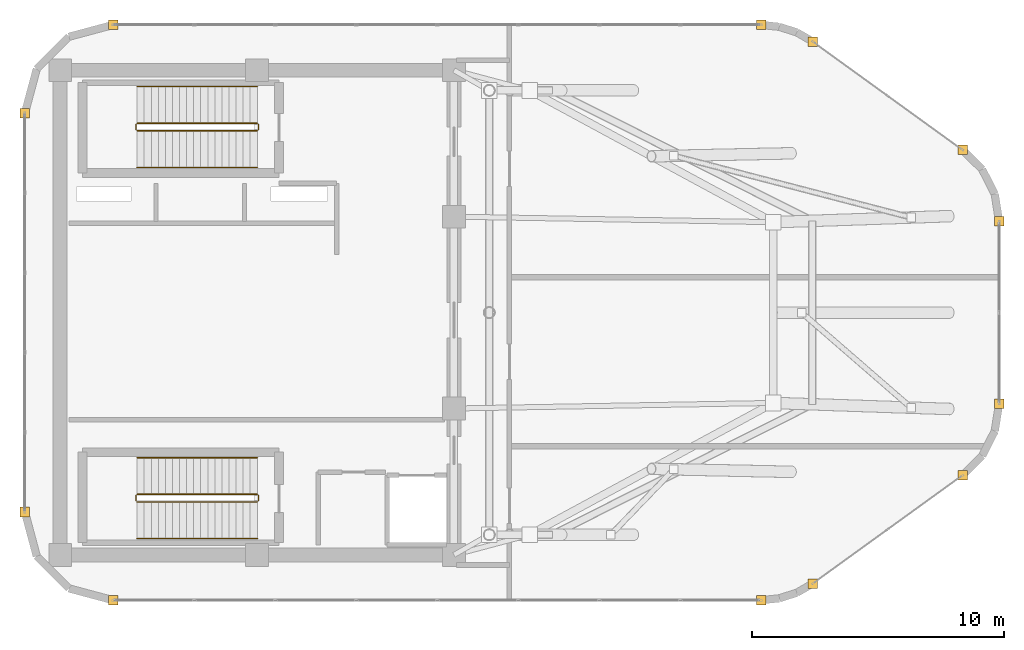
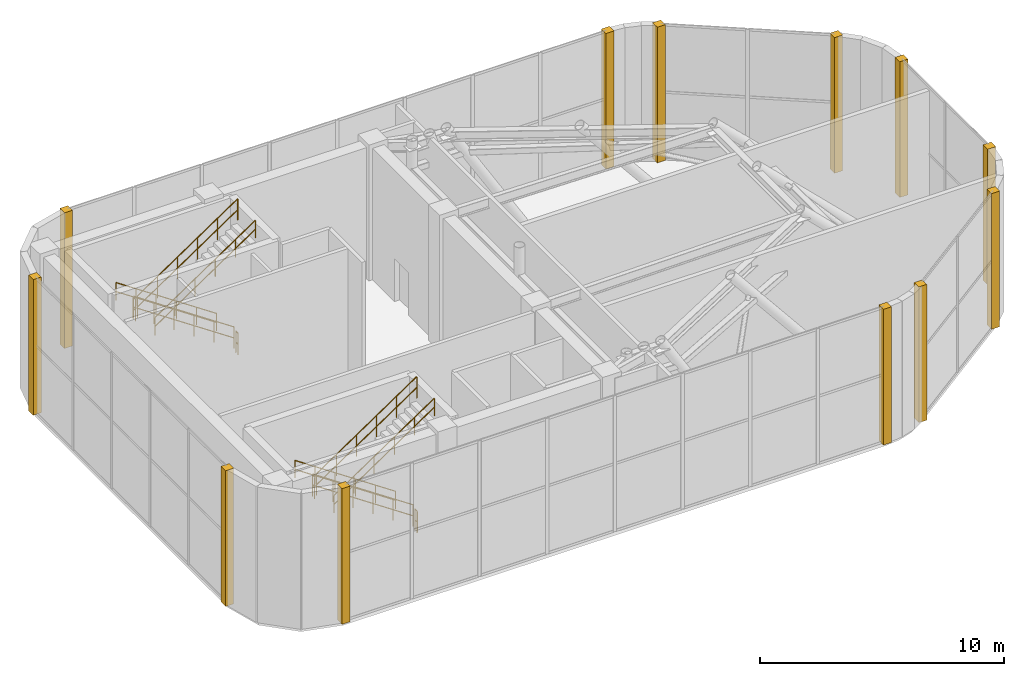
# One storey, part 23 of 23: 12 coverings, 12 railings.
"""IFC4 building model written with IfcOpenShell, lengths in metres."""

import ifcopenshell
import ifcopenshell.guid

model = None  # the IFC model being written
_history = None  # IfcOwnerHistory: only IFC2X3 demands one
_inside = {}  # id of a spatial element -> (the spatial element, [elements in it])
_under = {}  # id of a project, library or spatial element -> (it, [spatial elements below it])
_declared = {}  # id of a project -> (the project, [libraries it declares])
_typed = {}  # id of a type object -> (the type object, [elements of that type])
_made_of = {}  # id of a material, layer set ... -> (it, [elements and type objects made of it])


def new_model(schema):
    """Start an empty IFC model of exactly this schema.

    Asked for "IFC4X3", IfcOpenShell would pick the latest addendum, in which some entities
    have other attributes; the version numbers below select the first issue.
    IFC2X3 requires an IfcOwnerHistory on every rooted entity: one is made here for all.
    """
    global model, _history
    if schema == "IFC4X3":
        model = ifcopenshell.file(schema_version=(4, 3, 0, 0))
    else:
        model = ifcopenshell.file(schema=schema)
    _inside.clear()
    _under.clear()
    _declared.clear()
    _typed.clear()
    _made_of.clear()
    _history = None
    if model.schema == "IFC2X3":
        org = make("IfcOrganization", Name="unknown")
        user = make(
            "IfcPersonAndOrganization",
            ThePerson=make("IfcPerson", FamilyName="unknown"),
            TheOrganization=org,
        )
        app = make(
            "IfcApplication",
            ApplicationDeveloper=org,
            Version="unknown",
            ApplicationFullName="unknown",
            ApplicationIdentifier="unknown",
        )
        _history = make(
            "IfcOwnerHistory",
            OwningUser=user,
            OwningApplication=app,
            ChangeAction="ADDED",
            CreationDate=0,
        )
    return model


def make(cls, **values):
    """One entity of the class cls with the attributes given. An attribute that is None is left unset."""
    return model.create_entity(
        cls, **{name: value for name, value in values.items() if value is not None}
    )


def rooted(cls, **values):
    """An entity with a GlobalId (a new one), such as an element, a storey or a relation."""
    return make(cls, GlobalId=ifcopenshell.guid.new(), OwnerHistory=_history, **values)


def si_unit(unit_type, name, prefix=None):
    """IfcSIUnit, for example si_unit("LENGTHUNIT", "METRE", prefix="MILLI")."""
    return make("IfcSIUnit", UnitType=unit_type, Prefix=prefix, Name=name)


def assignment(units):
    """IfcUnitAssignment: the units of a project."""
    return None if units is None else make("IfcUnitAssignment", Units=units)


def point(xyz):
    """IfcCartesianPoint."""
    return None if xyz is None else make("IfcCartesianPoint", Coordinates=xyz)


def direction(xyz):
    """IfcDirection."""
    return None if xyz is None else make("IfcDirection", DirectionRatios=xyz)


def frame(location, z_axis=None, x_axis=None):
    """IfcAxis2Placement3D, a coordinate frame: its origin and axes. An axis left out is left unset."""
    return make(
        "IfcAxis2Placement3D",
        Location=point(location),
        Axis=direction(z_axis),
        RefDirection=direction(x_axis),
    )


def frame_2d(location, x_axis=None):
    """IfcAxis2Placement2D, a coordinate frame in the plane: its origin and x axis."""
    return make(
        "IfcAxis2Placement2D", Location=point(location), RefDirection=direction(x_axis)
    )


def origin():
    """The frame at (0, 0, 0) with its axes left unset."""
    return frame((0.0, 0.0, 0.0))


def origin_2d():
    """The frame at (0, 0) in the plane with its x axis left unset."""
    return frame_2d((0.0, 0.0))


def place(relative_to, where):
    """IfcLocalPlacement: puts the frame where relative to a parent placement (None: the world)."""
    return make(
        "IfcLocalPlacement", PlacementRelTo=relative_to, RelativePlacement=where
    )


def context(
    kind, dimensions, precision=None, world=None, true_north=None, identifier=None
):
    """IfcGeometricRepresentationContext, for example the 3D "Model" context."""
    return make(
        "IfcGeometricRepresentationContext",
        ContextIdentifier=identifier,
        ContextType=kind,
        CoordinateSpaceDimension=dimensions,
        Precision=precision,
        WorldCoordinateSystem=world,
        TrueNorth=true_north,
    )


def subcontext(parent, identifier, kind, view, scale=None):
    """IfcGeometricRepresentationSubContext, for example "Body" below "Model"."""
    return make(
        "IfcGeometricRepresentationSubContext",
        ContextIdentifier=identifier,
        ContextType=kind,
        ParentContext=parent,
        TargetScale=scale,
        TargetView=view,
    )


def project(units=None, contexts=None):
    """IfcProject with its units and contexts."""
    return rooted(
        "IfcProject",
        Name="project",
        RepresentationContexts=contexts,
        UnitsInContext=assignment(units),
    )


def spatial(cls, under=None, at=None, **own):
    """A site, building, storey or space (cls), placed at a placement, below another one or the project."""
    s = rooted(cls, ObjectPlacement=at, **own)
    if under is not None:
        _under.setdefault(under.id(), (under, []))[1].append(s)
    return s


def profile(cls, at=None, kind="AREA", **sizes):
    """A parametric profile (cls). Its sizes go by their IFC names, for example OverallWidth=200.0."""
    return make(cls, ProfileType=kind, Position=at, **sizes)


def rectangle(**sizes):
    """IfcRectangleProfileDef."""
    return profile("IfcRectangleProfileDef", **sizes)


def circle(**sizes):
    """IfcCircleProfileDef."""
    return profile("IfcCircleProfileDef", **sizes)


def extrude(swept, where, along, depth):
    """IfcExtrudedAreaSolid: the profile swept, set in the frame where, extruded along a direction by depth."""
    return make(
        "IfcExtrudedAreaSolid",
        SweptArea=swept,
        Position=where,
        ExtrudedDirection=direction(along),
        Depth=depth,
    )


def shape(context_of_items, identifier, shape_type, items):
    """IfcShapeRepresentation: the items that make up one representation, for example the "Body"."""
    return make(
        "IfcShapeRepresentation",
        ContextOfItems=context_of_items,
        RepresentationIdentifier=identifier,
        RepresentationType=shape_type,
        Items=items,
    )


def material(Name=None, Category=None):
    """IfcMaterial."""
    return make("IfcMaterial", Name=Name, Category=Category)


def layer(
    of_material, thickness, ventilated=None, Name=None, Category=None, Priority=None
):
    """IfcMaterialLayer: one layer of a wall or slab, of a material (None: an air gap)."""
    return make(
        "IfcMaterialLayer",
        Material=of_material,
        LayerThickness=thickness,
        IsVentilated=ventilated,
        Name=Name,
        Category=Category,
        Priority=Priority,
    )


def layer_set(layers, Name=None):
    """IfcMaterialLayerSet."""
    return make("IfcMaterialLayerSet", MaterialLayers=layers, LayerSetName=Name)


def made_of(thing, what):
    """Note that an element or type object is made of a material, layer set ...; save() writes the relation."""
    if what is not None:
        _made_of.setdefault(what.id(), (what, []))[1].append(thing)
    return thing


def type_object(cls, material=None, **own):
    """A type object (cls), such as IfcWallType, which elements share."""
    return made_of(rooted(cls, **own), material)


def element(
    cls,
    number,
    at=None,
    inside=None,
    cuts=None,
    type_object=None,
    material=None,
    context=None,
    identifier="Body",
    shape_type=None,
    held_by="IfcProductDefinitionShape",
    body=None,
    shapes=None,
    **own,
):
    """One element of the class cls, such as IfcWall. Its Tag is "e" and its number.

    at: its placement. inside: the storey or other place that contains it. cuts: it is an
    opening in that element (IfcRelVoidsElement). A single representation is given by context,
    identifier, shape_type and body (its items); several are given by shapes. held_by: the class
    of the entity that holds the representations. save() writes the other relations.
    """
    e = rooted(cls, Tag="e%d" % number, ObjectPlacement=at, **own)
    if body is not None:
        shapes = [shape(context, identifier, shape_type, body)]
    if shapes is not None:
        e.Representation = make(held_by, Representations=shapes)
    if inside is not None:
        _inside.setdefault(inside.id(), (inside, []))[1].append(e)
    if cuts is not None:
        rooted(
            "IfcRelVoidsElement", RelatingBuildingElement=cuts, RelatedOpeningElement=e
        )
    if type_object is not None:
        _typed.setdefault(type_object.id(), (type_object, []))[1].append(e)
    return made_of(e, material)


def aggregate(whole, parts):
    """IfcRelAggregates: a whole, such as a stair, and the parts it consists of."""
    return rooted("IfcRelAggregates", RelatingObject=whole, RelatedObjects=parts)


def save(model, path):
    """Write the relations noted so far, then the file.

    IfcRelAggregates (storeys below a building ...), IfcRelContainedInSpatialStructure (elements
    in a storey), IfcRelDefinesByType, IfcRelAssociatesMaterial and IfcRelDeclares: one each for
    every whole, place, type object, material and project.
    """
    for whole, parts in _under.values():
        aggregate(whole, parts)
    for where, things in _inside.values():
        rooted(
            "IfcRelContainedInSpatialStructure",
            RelatedElements=things,
            RelatingStructure=where,
        )
    for kind, things in _typed.values():
        rooted("IfcRelDefinesByType", RelatedObjects=things, RelatingType=kind)
    for what, things in _made_of.values():
        rooted("IfcRelAssociatesMaterial", RelatedObjects=things, RelatingMaterial=what)
    for by, libraries in _declared.values():
        rooted("IfcRelDeclares", RelatingContext=by, RelatedDefinitions=libraries)
    model.write(path)


model = new_model("IFC4")

# Units and contexts
model_context = context("Model", 3, precision=1e-05, world=origin(), true_north=direction((0.0, 1.0)))
body_context = subcontext(model_context, "Body", "Model", "MODEL_VIEW")
ifc_project = project(units=[si_unit("LENGTHUNIT", "METRE"), si_unit("AREAUNIT", "SQUARE_METRE"), si_unit("VOLUMEUNIT", "CUBIC_METRE"), si_unit("PLANEANGLEUNIT", "RADIAN"), si_unit("MASSUNIT", "GRAM", prefix="KILO")], contexts=[model_context])

# Site, building, storey
site_placement = place(None, origin())
site = spatial("IfcSite", under=ifc_project, at=site_placement, CompositionType="ELEMENT")
building_placement = place(site_placement, origin())
building = spatial("IfcBuilding", under=site, at=building_placement, Name="An Khanh Terracotta Commons", CompositionType="ELEMENT")
storey_placement = place(building_placement, frame((0.0, 0.0, 322.0)))
storey = spatial("IfcBuildingStorey", under=building, at=storey_placement, Name="L81 Crown Heat-Recovery Plant", CompositionType="ELEMENT", Elevation=322.0)

# Coverings
ifc_material_1 = material(Name="Fired Terracotta Rainscreen Cladding", Category="masonry")
ifc_layer = layer(ifc_material_1, 0.080078125, Name="Fired Terracotta Rainscreen Cladding")
ifc_layer_set = layer_set([ifc_layer], Name="Fired Terracotta Rainscreen Cladding")
covering_type = type_object("IfcCoveringType", Name="COV-JAMB-TERRA", PredefinedType="CLADDING", material=ifc_layer_set)
for number, where, z_axis, x_axis, name in (
    (1, (23.699951171875, 12.60009765625, 0.0), (0.0, 0.0, 1.0), (1.0, 0.0, 0.0), "L81 Crown Heat-Recovery Plant CW-06 Curtain-Wall Jamb Closure JA"),
    (2, (49.366943359375, 12.60009765625, 0.0), (0.0, 0.0, 1.0), (1.0, 0.0, 0.0), "L81 Crown Heat-Recovery Plant CW-06 Curtain-Wall Jamb Closure JB"),
    (3, (51.41796875, 13.263916015625, 0.0), (0.0, 0.0, 1.0), (1.0, 0.0, 0.0), "L81 Crown Heat-Recovery Plant CW-06 Curtain-Wall Jamb Closure JA"),
    (4, (57.35009765625, 17.552001953125, 0.0), (0.0, 0.0, 1.0), (1.0, 0.0, 0.0), "L81 Crown Heat-Recovery Plant CW-06 Curtain-Wall Jamb Closure JB"),
    (5, (58.800048828125, 20.388916015625, 0.0), (0.0, 0.0, 1.0), (1.0, 0.0, 0.0), "L81 Crown Heat-Recovery Plant CW-06 Curtain-Wall Jamb Closure JA"),
    (6, (58.800048828125, 27.611083984375, 0.0), (0.0, 0.0, 1.0), (1.0, 0.0, 0.0), "L81 Crown Heat-Recovery Plant CW-06 Curtain-Wall Jamb Closure JB"),
    (7, (57.35009765625, 30.447998046875, 0.0), (0.0, 0.0, 1.0), (1.0, 0.0, 0.0), "L81 Crown Heat-Recovery Plant CW-06 Curtain-Wall Jamb Closure JA"),
    (8, (51.41796875, 34.736083984375, 0.0), (0.0, 0.0, 1.0), (1.0, 0.0, 0.0), "L81 Crown Heat-Recovery Plant CW-06 Curtain-Wall Jamb Closure JB"),
    (9, (49.366943359375, 35.39990234375, 0.0), (0.0, 0.0, 1.0), (1.0, 0.0, 0.0), "L81 Crown Heat-Recovery Plant CW-06 Curtain-Wall Jamb Closure JA"),
    (10, (23.699951171875, 35.39990234375, 0.0), (0.0, 0.0, 1.0), (1.0, 0.0, 0.0), "L81 Crown Heat-Recovery Plant CW-06 Curtain-Wall Jamb Closure JB"),
    (11, (20.199951171875, 31.89990234375, 0.0), (0.0, 0.0, 1.0), (1.0, 0.0, 0.0), "L81 Crown Heat-Recovery Plant CW-06 Curtain-Wall Jamb Closure JA"),
    (12, (20.199951171875, 16.10009765625, 0.0), (0.0, 0.0, 1.0), (1.0, 0.0, 0.0), "L81 Crown Heat-Recovery Plant CW-06 Curtain-Wall Jamb Closure JB"),
):
    element("IfcCovering", number, at=place(storey_placement, frame(where, z_axis=z_axis, x_axis=x_axis)), inside=storey, type_object=covering_type, Name=name, PredefinedType="CLADDING", context=body_context, shape_type="SweptSolid", body=[
        extrude(rectangle(XDim=0.3798828125, YDim=0.3798828125, at=origin_2d()), origin(), (0.0, 0.0, 1.0), 6.800048828125),
    ])

# Railings
ifc_material_2 = material(Name="Brushed Stainless Steel 316", Category="steel")
railing_type_1 = type_object("IfcRailingType", Name="RAIL-HANDRAIL-900", PredefinedType="HANDRAIL", material=ifc_material_2)
railing_1_placement = place(storey_placement, frame((29.409912109375, 32.949951171875, 0.18896484375)))
element("IfcRailing", 13, at=railing_1_placement, inside=storey, type_object=railing_type_1, Name="L81 Crown Heat-Recovery Plant ST-01 stair handrail 1", PredefinedType="HANDRAIL", context=body_context, shape_type="SweptSolid", body=[
    extrude(circle(Radius=0.02392578125, at=origin_2d()), frame((0.0, 0.0, 0.8759765625), z_axis=(-0.829015741918, 0.0, 0.559225267359), x_axis=(0.0, -1.0, 0.0)), (0.0, 0.0, 1.0), 5.74169921875),
    extrude(circle(Radius=0.02392578125, at=origin_2d()), frame((0.0, 0.0, 0.42578125), z_axis=(-0.829015741918, 0.0, 0.559225267359), x_axis=(0.0, -1.0, 0.0)), (0.0, 0.0, 1.0), 5.74169921875),
    extrude(circle(Radius=0.02099609375, at=origin_2d()), origin(), (0.0, 0.0, 1.0), 0.851806640625),
    extrude(circle(Radius=0.02099609375, at=origin_2d()), frame((-0.951904296875, 0.0, 0.64208984375)), (0.0, 0.0, 1.0), 0.851806640625),
    extrude(circle(Radius=0.02099609375, at=origin_2d()), frame((-1.904052734375, 0.0, 1.284423828125)), (0.0, 0.0, 1.0), 0.851806640625),
    extrude(circle(Radius=0.02099609375, at=origin_2d()), frame((-2.85595703125, 0.0, 1.926513671875)), (0.0, 0.0, 1.0), 0.851806640625),
    extrude(circle(Radius=0.02099609375, at=origin_2d()), frame((-3.80810546875, 0.0, 2.56884765625)), (0.0, 0.0, 1.0), 0.851806640625),
    extrude(circle(Radius=0.02099609375, at=origin_2d()), frame((-4.760009765625, 0.0, 3.2109375)), (0.0, 0.0, 1.0), 0.851806640625),
])
railing_2_placement = place(storey_placement, frame((24.64990234375, 29.75, 3.5888671875)))
element("IfcRailing", 14, at=railing_2_placement, inside=storey, type_object=railing_type_1, Name="L81 Crown Heat-Recovery Plant ST-01 stair handrail 2", PredefinedType="HANDRAIL", context=body_context, shape_type="SweptSolid", body=[
    extrude(circle(Radius=0.02392578125, at=origin_2d()), frame((0.0, 0.0, 0.8759765625), z_axis=(0.828996029242, 0.0, 0.55925448903), x_axis=(0.0, 1.0, 0.0)), (0.0, 0.0, 1.0), 5.741943359375),
    extrude(circle(Radius=0.02392578125, at=origin_2d()), frame((0.0, 0.0, 0.42578125), z_axis=(0.828996029242, 0.0, 0.55925448903), x_axis=(0.0, 1.0, 0.0)), (0.0, 0.0, 1.0), 5.741943359375),
    extrude(circle(Radius=0.02099609375, at=origin_2d()), origin(), (0.0, 0.0, 1.0), 0.851806640625),
    extrude(circle(Radius=0.02099609375, at=origin_2d()), frame((0.951904296875, 0.0, 0.642333984375)), (0.0, 0.0, 1.0), 0.851806640625),
    extrude(circle(Radius=0.02099609375, at=origin_2d()), frame((1.904052734375, 0.0, 1.284423828125)), (0.0, 0.0, 1.0), 0.851806640625),
    extrude(circle(Radius=0.02099609375, at=origin_2d()), frame((2.85595703125, 0.0, 1.9267578125)), (0.0, 0.0, 1.0), 0.851806640625),
    extrude(circle(Radius=0.02099609375, at=origin_2d()), frame((3.80810546875, 0.0, 2.56884765625)), (0.0, 0.0, 1.0), 0.851806640625),
    extrude(circle(Radius=0.02099609375, at=origin_2d()), frame((4.760009765625, 0.0, 3.211181640625)), (0.0, 0.0, 1.0), 0.851806640625),
])
railing_3_placement = place(storey_placement, frame((29.409912109375, 18.25, 0.18896484375)))
element("IfcRailing", 15, at=railing_3_placement, inside=storey, type_object=railing_type_1, Name="L81 Crown Heat-Recovery Plant ST-02 stair handrail 1", PredefinedType="HANDRAIL", context=body_context, shape_type="SweptSolid", body=[
    extrude(circle(Radius=0.02392578125, at=origin_2d()), frame((0.0, 0.0, 0.8759765625), z_axis=(-0.829015741918, 0.0, 0.559225267359), x_axis=(0.0, -1.0, 0.0)), (0.0, 0.0, 1.0), 5.74169921875),
    extrude(circle(Radius=0.02392578125, at=origin_2d()), frame((0.0, 0.0, 0.42578125), z_axis=(-0.829015741918, 0.0, 0.559225267359), x_axis=(0.0, -1.0, 0.0)), (0.0, 0.0, 1.0), 5.74169921875),
    extrude(circle(Radius=0.02099609375, at=origin_2d()), origin(), (0.0, 0.0, 1.0), 0.851806640625),
    extrude(circle(Radius=0.02099609375, at=origin_2d()), frame((-0.951904296875, 0.0, 0.64208984375)), (0.0, 0.0, 1.0), 0.851806640625),
    extrude(circle(Radius=0.02099609375, at=origin_2d()), frame((-1.904052734375, 0.0, 1.284423828125)), (0.0, 0.0, 1.0), 0.851806640625),
    extrude(circle(Radius=0.02099609375, at=origin_2d()), frame((-2.85595703125, 0.0, 1.926513671875)), (0.0, 0.0, 1.0), 0.851806640625),
    extrude(circle(Radius=0.02099609375, at=origin_2d()), frame((-3.80810546875, 0.0, 2.56884765625)), (0.0, 0.0, 1.0), 0.851806640625),
    extrude(circle(Radius=0.02099609375, at=origin_2d()), frame((-4.760009765625, 0.0, 3.2109375)), (0.0, 0.0, 1.0), 0.851806640625),
])
railing_4_placement = place(storey_placement, frame((24.64990234375, 15.050048828125, 3.5888671875)))
element("IfcRailing", 16, at=railing_4_placement, inside=storey, type_object=railing_type_1, Name="L81 Crown Heat-Recovery Plant ST-02 stair handrail 2", PredefinedType="HANDRAIL", context=body_context, shape_type="SweptSolid", body=[
    extrude(circle(Radius=0.02392578125, at=origin_2d()), frame((0.0, 0.0, 0.8759765625), z_axis=(0.828996029242, 0.0, 0.55925448903), x_axis=(0.0, 1.0, 0.0)), (0.0, 0.0, 1.0), 5.741943359375),
    extrude(circle(Radius=0.02392578125, at=origin_2d()), frame((0.0, 0.0, 0.42578125), z_axis=(0.828996029242, 0.0, 0.55925448903), x_axis=(0.0, 1.0, 0.0)), (0.0, 0.0, 1.0), 5.741943359375),
    extrude(circle(Radius=0.02099609375, at=origin_2d()), origin(), (0.0, 0.0, 1.0), 0.851806640625),
    extrude(circle(Radius=0.02099609375, at=origin_2d()), frame((0.951904296875, 0.0, 0.642333984375)), (0.0, 0.0, 1.0), 0.851806640625),
    extrude(circle(Radius=0.02099609375, at=origin_2d()), frame((1.904052734375, 0.0, 1.284423828125)), (0.0, 0.0, 1.0), 0.851806640625),
    extrude(circle(Radius=0.02099609375, at=origin_2d()), frame((2.85595703125, 0.0, 1.9267578125)), (0.0, 0.0, 1.0), 0.851806640625),
    extrude(circle(Radius=0.02099609375, at=origin_2d()), frame((3.80810546875, 0.0, 2.56884765625)), (0.0, 0.0, 1.0), 0.851806640625),
    extrude(circle(Radius=0.02099609375, at=origin_2d()), frame((4.760009765625, 0.0, 3.211181640625)), (0.0, 0.0, 1.0), 0.851806640625),
])
ifc_material_3 = material(Name="Powder-Coated Steel S355J2", Category="steel")
railing_type_2 = type_object("IfcRailingType", Name="RAIL-STAIR-GUARD-1100", PredefinedType="BALUSTRADE", material=ifc_material_3)
railing_5_placement = place(storey_placement, frame((29.409912109375, 31.5, 0.18896484375)))
element("IfcRailing", 17, at=railing_5_placement, inside=storey, type_object=railing_type_2, Name="L81 Crown Heat-Recovery Plant ST-01 stair guard 1", PredefinedType="BALUSTRADE", context=body_context, shape_type="SweptSolid", body=[
    extrude(circle(Radius=0.02392578125, at=origin_2d()), frame((0.0, 0.0, 1.076171875), z_axis=(-0.829015741918, 0.0, 0.559225267359), x_axis=(0.0, -1.0, 0.0)), (0.0, 0.0, 1.0), 5.74169921875),
    extrude(circle(Radius=0.02392578125, at=origin_2d()), frame((0.0, 0.0, 0.52587890625), z_axis=(-0.829015741918, 0.0, 0.559225267359), x_axis=(0.0, -1.0, 0.0)), (0.0, 0.0, 1.0), 5.74169921875),
    extrude(circle(Radius=0.02099609375, at=origin_2d()), origin(), (0.0, 0.0, 1.0), 1.052001953125),
    extrude(circle(Radius=0.02099609375, at=origin_2d()), frame((-0.951904296875, 0.0, 0.64208984375)), (0.0, 0.0, 1.0), 1.052001953125),
    extrude(circle(Radius=0.02099609375, at=origin_2d()), frame((-1.904052734375, 0.0, 1.284423828125)), (0.0, 0.0, 1.0), 1.052001953125),
    extrude(circle(Radius=0.02099609375, at=origin_2d()), frame((-2.85595703125, 0.0, 1.926513671875)), (0.0, 0.0, 1.0), 1.052001953125),
    extrude(circle(Radius=0.02099609375, at=origin_2d()), frame((-3.80810546875, 0.0, 2.56884765625)), (0.0, 0.0, 1.0), 1.052001953125),
    extrude(circle(Radius=0.02099609375, at=origin_2d()), frame((-4.760009765625, 0.0, 3.2109375)), (0.0, 0.0, 1.0), 1.052001953125),
])
railing_6_placement = place(storey_placement, frame((24.60009765625, 31.449951171875, 3.39990234375)))
element("IfcRailing", 18, at=railing_6_placement, inside=storey, type_object=railing_type_2, Name="L81 Crown Heat-Recovery Plant ST-01 stair guard 2", PredefinedType="BALUSTRADE", context=body_context, shape_type="SweptSolid", body=[
    extrude(circle(Radius=0.02392578125, at=origin_2d()), frame((0.0, 0.0, 1.076171875), z_axis=(0.0, -1.0, 0.0), x_axis=(1.0, 0.0, 0.0)), (0.0, 0.0, 1.0), 0.199951171875),
    extrude(circle(Radius=0.02392578125, at=origin_2d()), frame((0.0, 0.0, 0.52587890625), z_axis=(0.0, -1.0, 0.0), x_axis=(1.0, 0.0, 0.0)), (0.0, 0.0, 1.0), 0.199951171875),
    extrude(circle(Radius=0.02099609375, at=origin_2d()), origin(), (0.0, 0.0, 1.0), 1.052001953125),
    extrude(circle(Radius=0.02099609375, at=origin_2d()), frame((0.0, -0.199951171875, 0.0)), (0.0, 0.0, 1.0), 1.052001953125),
])
railing_7_placement = place(storey_placement, frame((24.64990234375, 31.199951171875, 3.5888671875)))
element("IfcRailing", 19, at=railing_7_placement, inside=storey, type_object=railing_type_2, Name="L81 Crown Heat-Recovery Plant ST-01 stair guard 3", PredefinedType="BALUSTRADE", context=body_context, shape_type="SweptSolid", body=[
    extrude(circle(Radius=0.02392578125, at=origin_2d()), frame((0.0, 0.0, 1.076171875), z_axis=(0.828996029242, 0.0, 0.55925448903), x_axis=(0.0, 1.0, 0.0)), (0.0, 0.0, 1.0), 5.741943359375),
    extrude(circle(Radius=0.02392578125, at=origin_2d()), frame((0.0, 0.0, 0.52587890625), z_axis=(0.828996029242, 0.0, 0.55925448903), x_axis=(0.0, 1.0, 0.0)), (0.0, 0.0, 1.0), 5.741943359375),
    extrude(circle(Radius=0.02099609375, at=origin_2d()), origin(), (0.0, 0.0, 1.0), 1.052001953125),
    extrude(circle(Radius=0.02099609375, at=origin_2d()), frame((0.951904296875, 0.0, 0.642333984375)), (0.0, 0.0, 1.0), 1.052001953125),
    extrude(circle(Radius=0.02099609375, at=origin_2d()), frame((1.904052734375, 0.0, 1.284423828125)), (0.0, 0.0, 1.0), 1.052001953125),
    extrude(circle(Radius=0.02099609375, at=origin_2d()), frame((2.85595703125, 0.0, 1.9267578125)), (0.0, 0.0, 1.0), 1.052001953125),
    extrude(circle(Radius=0.02099609375, at=origin_2d()), frame((3.80810546875, 0.0, 2.56884765625)), (0.0, 0.0, 1.0), 1.052001953125),
    extrude(circle(Radius=0.02099609375, at=origin_2d()), frame((4.760009765625, 0.0, 3.211181640625)), (0.0, 0.0, 1.0), 1.052001953125),
])
railing_8_placement = place(storey_placement, frame((29.4599609375, 31.449951171875, 0.0)))
element("IfcRailing", 20, at=railing_8_placement, inside=storey, type_object=railing_type_2, Name="L81 Crown Heat-Recovery Plant ST-01 stair guard 4", PredefinedType="BALUSTRADE", context=body_context, shape_type="SweptSolid", body=[
    extrude(circle(Radius=0.02392578125, at=origin_2d()), frame((0.0, 0.0, 1.076171875), z_axis=(0.0, -1.0, 0.0), x_axis=(1.0, 0.0, 0.0)), (0.0, 0.0, 1.0), 0.199951171875),
    extrude(circle(Radius=0.02392578125, at=origin_2d()), frame((0.0, 0.0, 0.52587890625), z_axis=(0.0, -1.0, 0.0), x_axis=(1.0, 0.0, 0.0)), (0.0, 0.0, 1.0), 0.199951171875),
    extrude(circle(Radius=0.02099609375, at=origin_2d()), origin(), (0.0, 0.0, 1.0), 1.052001953125),
    extrude(circle(Radius=0.02099609375, at=origin_2d()), frame((0.0, -0.199951171875, 0.0)), (0.0, 0.0, 1.0), 1.052001953125),
])
railing_9_placement = place(storey_placement, frame((29.409912109375, 16.800048828125, 0.18896484375)))
element("IfcRailing", 21, at=railing_9_placement, inside=storey, type_object=railing_type_2, Name="L81 Crown Heat-Recovery Plant ST-02 stair guard 1", PredefinedType="BALUSTRADE", context=body_context, shape_type="SweptSolid", body=[
    extrude(circle(Radius=0.02392578125, at=origin_2d()), frame((0.0, 0.0, 1.076171875), z_axis=(-0.829015741918, 0.0, 0.559225267359), x_axis=(0.0, -1.0, 0.0)), (0.0, 0.0, 1.0), 5.74169921875),
    extrude(circle(Radius=0.02392578125, at=origin_2d()), frame((0.0, 0.0, 0.52587890625), z_axis=(-0.829015741918, 0.0, 0.559225267359), x_axis=(0.0, -1.0, 0.0)), (0.0, 0.0, 1.0), 5.74169921875),
    extrude(circle(Radius=0.02099609375, at=origin_2d()), origin(), (0.0, 0.0, 1.0), 1.052001953125),
    extrude(circle(Radius=0.02099609375, at=origin_2d()), frame((-0.951904296875, 0.0, 0.64208984375)), (0.0, 0.0, 1.0), 1.052001953125),
    extrude(circle(Radius=0.02099609375, at=origin_2d()), frame((-1.904052734375, 0.0, 1.284423828125)), (0.0, 0.0, 1.0), 1.052001953125),
    extrude(circle(Radius=0.02099609375, at=origin_2d()), frame((-2.85595703125, 0.0, 1.926513671875)), (0.0, 0.0, 1.0), 1.052001953125),
    extrude(circle(Radius=0.02099609375, at=origin_2d()), frame((-3.80810546875, 0.0, 2.56884765625)), (0.0, 0.0, 1.0), 1.052001953125),
    extrude(circle(Radius=0.02099609375, at=origin_2d()), frame((-4.760009765625, 0.0, 3.2109375)), (0.0, 0.0, 1.0), 1.052001953125),
])
railing_10_placement = place(storey_placement, frame((24.60009765625, 16.75, 3.39990234375)))
element("IfcRailing", 22, at=railing_10_placement, inside=storey, type_object=railing_type_2, Name="L81 Crown Heat-Recovery Plant ST-02 stair guard 2", PredefinedType="BALUSTRADE", context=body_context, shape_type="SweptSolid", body=[
    extrude(circle(Radius=0.02392578125, at=origin_2d()), frame((0.0, 0.0, 1.076171875), z_axis=(0.0, -1.0, 0.0), x_axis=(1.0, 0.0, 0.0)), (0.0, 0.0, 1.0), 0.199951171875),
    extrude(circle(Radius=0.02392578125, at=origin_2d()), frame((0.0, 0.0, 0.52587890625), z_axis=(0.0, -1.0, 0.0), x_axis=(1.0, 0.0, 0.0)), (0.0, 0.0, 1.0), 0.199951171875),
    extrude(circle(Radius=0.02099609375, at=origin_2d()), origin(), (0.0, 0.0, 1.0), 1.052001953125),
    extrude(circle(Radius=0.02099609375, at=origin_2d()), frame((0.0, -0.199951171875, 0.0)), (0.0, 0.0, 1.0), 1.052001953125),
])
railing_11_placement = place(storey_placement, frame((24.64990234375, 16.5, 3.5888671875)))
element("IfcRailing", 23, at=railing_11_placement, inside=storey, type_object=railing_type_2, Name="L81 Crown Heat-Recovery Plant ST-02 stair guard 3", PredefinedType="BALUSTRADE", context=body_context, shape_type="SweptSolid", body=[
    extrude(circle(Radius=0.02392578125, at=origin_2d()), frame((0.0, 0.0, 1.076171875), z_axis=(0.828996029242, 0.0, 0.55925448903), x_axis=(0.0, 1.0, 0.0)), (0.0, 0.0, 1.0), 5.741943359375),
    extrude(circle(Radius=0.02392578125, at=origin_2d()), frame((0.0, 0.0, 0.52587890625), z_axis=(0.828996029242, 0.0, 0.55925448903), x_axis=(0.0, 1.0, 0.0)), (0.0, 0.0, 1.0), 5.741943359375),
    extrude(circle(Radius=0.02099609375, at=origin_2d()), origin(), (0.0, 0.0, 1.0), 1.052001953125),
    extrude(circle(Radius=0.02099609375, at=origin_2d()), frame((0.951904296875, 0.0, 0.642333984375)), (0.0, 0.0, 1.0), 1.052001953125),
    extrude(circle(Radius=0.02099609375, at=origin_2d()), frame((1.904052734375, 0.0, 1.284423828125)), (0.0, 0.0, 1.0), 1.052001953125),
    extrude(circle(Radius=0.02099609375, at=origin_2d()), frame((2.85595703125, 0.0, 1.9267578125)), (0.0, 0.0, 1.0), 1.052001953125),
    extrude(circle(Radius=0.02099609375, at=origin_2d()), frame((3.80810546875, 0.0, 2.56884765625)), (0.0, 0.0, 1.0), 1.052001953125),
    extrude(circle(Radius=0.02099609375, at=origin_2d()), frame((4.760009765625, 0.0, 3.211181640625)), (0.0, 0.0, 1.0), 1.052001953125),
])
railing_12_placement = place(storey_placement, frame((29.4599609375, 16.75, 0.0)))
element("IfcRailing", 24, at=railing_12_placement, inside=storey, type_object=railing_type_2, Name="L81 Crown Heat-Recovery Plant ST-02 stair guard 4", PredefinedType="BALUSTRADE", context=body_context, shape_type="SweptSolid", body=[
    extrude(circle(Radius=0.02392578125, at=origin_2d()), frame((0.0, 0.0, 1.076171875), z_axis=(0.0, -1.0, 0.0), x_axis=(1.0, 0.0, 0.0)), (0.0, 0.0, 1.0), 0.199951171875),
    extrude(circle(Radius=0.02392578125, at=origin_2d()), frame((0.0, 0.0, 0.52587890625), z_axis=(0.0, -1.0, 0.0), x_axis=(1.0, 0.0, 0.0)), (0.0, 0.0, 1.0), 0.199951171875),
    extrude(circle(Radius=0.02099609375, at=origin_2d()), origin(), (0.0, 0.0, 1.0), 1.052001953125),
    extrude(circle(Radius=0.02099609375, at=origin_2d()), frame((0.0, -0.199951171875, 0.0)), (0.0, 0.0, 1.0), 1.052001953125),
])

save(model, "model.ifc")
